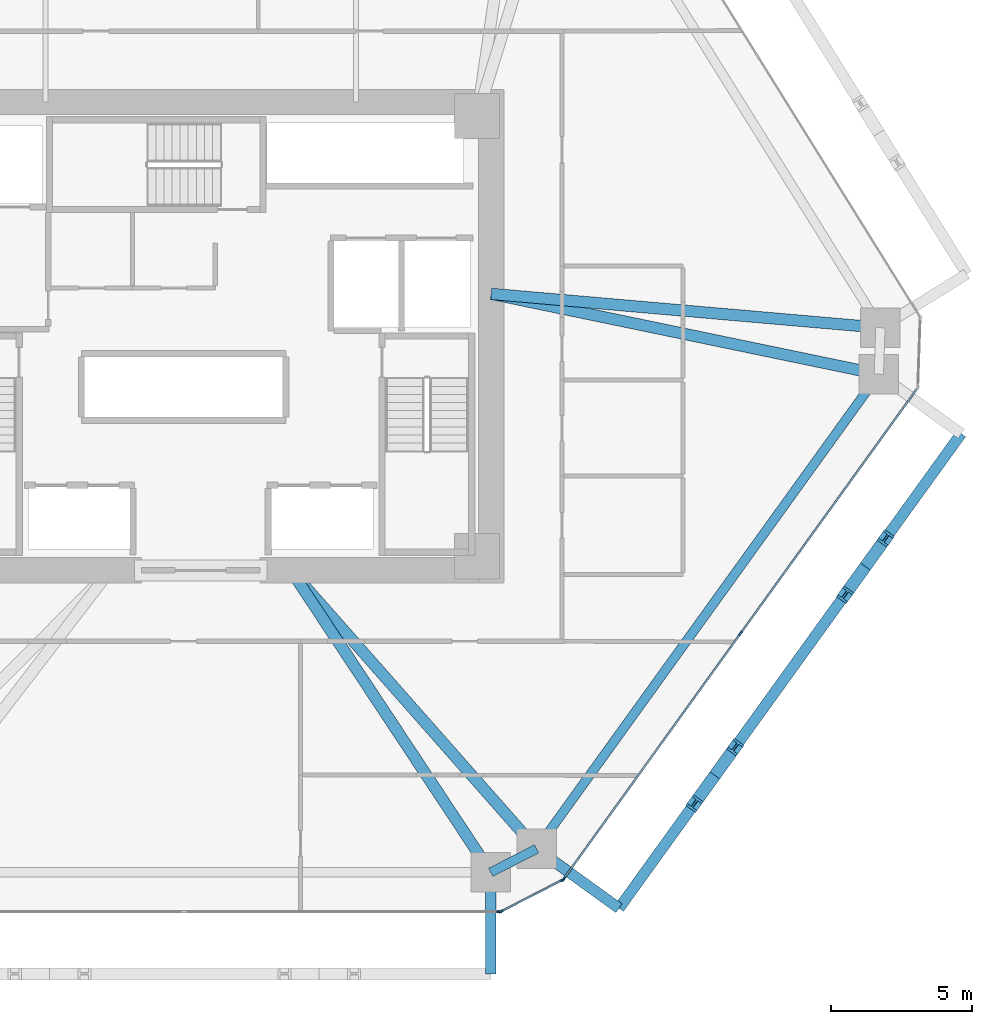
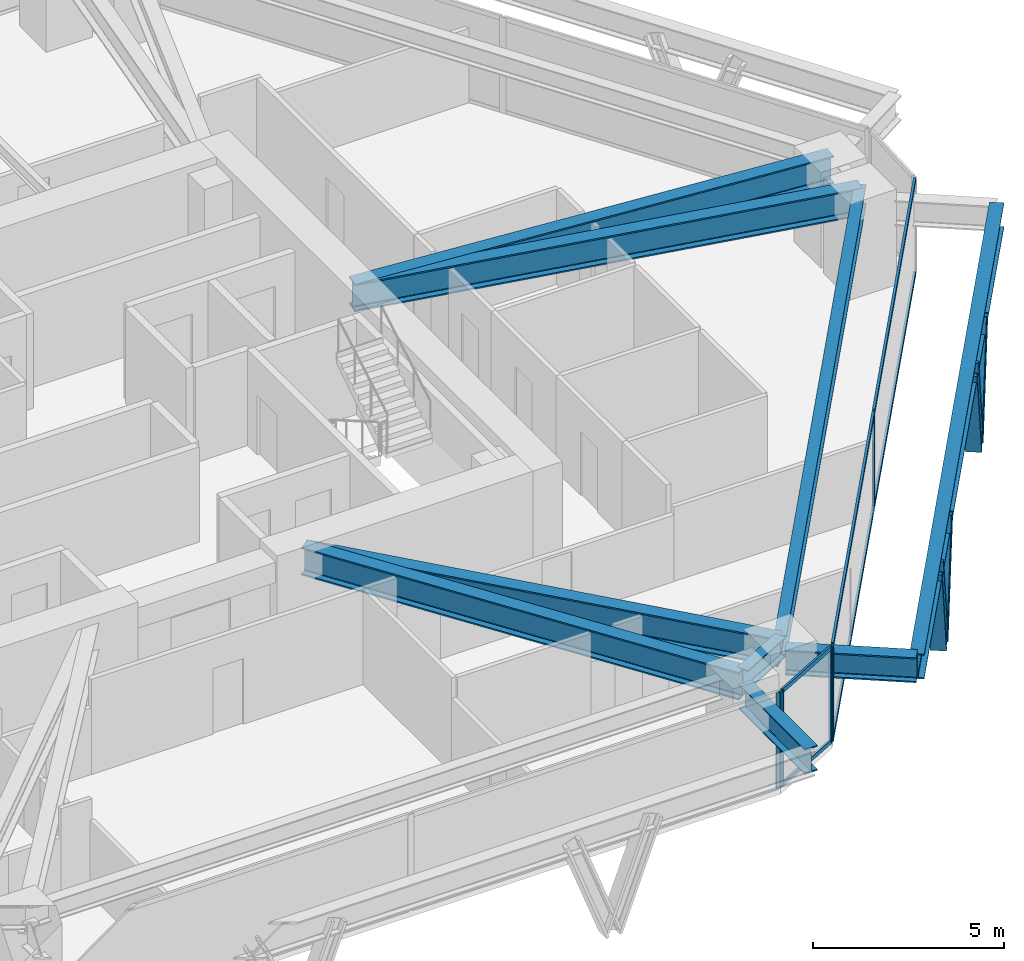
# One storey, part 5 of 14: 15 members, 9 beams, 3 elements without a shape of their own.
"""IFC4 building model written with IfcOpenShell, lengths in metres."""

from ifc_helpers import new_model, si_unit, direction, frame, origin, origin_2d, place, context, subcontext, project, spatial, rectangle, i_section, extrude, source, transform, mapped, material, layer, layer_set, material_profile, profile_set, type_object, type_shapes, element, aggregate, save


model = new_model("IFC4")

# Units and contexts
model_context = context("Model", 3, precision=1e-05, world=origin(), true_north=direction((0.0, 1.0)))
body_context = subcontext(model_context, "Body", "Model", "MODEL_VIEW")
ifc_project = project(units=[si_unit("LENGTHUNIT", "METRE"), si_unit("AREAUNIT", "SQUARE_METRE"), si_unit("VOLUMEUNIT", "CUBIC_METRE"), si_unit("PLANEANGLEUNIT", "RADIAN"), si_unit("MASSUNIT", "GRAM", prefix="KILO")], contexts=[model_context])

# Site, building, storey
site_placement = place(None, origin())
site = spatial("IfcSite", under=ifc_project, at=site_placement, CompositionType="ELEMENT")
building_placement = place(site_placement, origin())
building = spatial("IfcBuilding", under=site, at=building_placement, Name="Durnholm Broadcast Tower", CompositionType="ELEMENT")
storey_placement = place(building_placement, frame((0.0, 0.0, 48.89990234375)))
storey = spatial("IfcBuildingStorey", under=building, at=storey_placement, Name="L11", CompositionType="ELEMENT", Elevation=48.89990234375)

# Beams
ifc_material_1 = material(Name="Steel ASTM A992 Grade 50", Category="steel")
ifc_material_profile_1 = material_profile(ifc_material_1, i_section(OverallWidth=0.3291015625, OverallDepth=0.635009765625, WebThickness=0.017822265625, FlangeThickness=0.031005859375, FilletRadius=0.02783203125, at=origin_2d()), Name="W24X162")
ifc_profile_set_1 = profile_set([ifc_material_profile_1], Name="Steel ASTM A992 Grade 50")
beam_type_1 = type_object("IfcBeamType", Name="STL-SP-W24X162", PredefinedType="SPANDREL", material=ifc_profile_set_1)
shared_shape_1 = source(origin(), body_context, "Body", "SweptSolid", [
    extrude(i_section(OverallWidth=0.3291015625, OverallDepth=0.635009765625, WebThickness=0.017822265625, FlangeThickness=0.031005859375, FilletRadius=0.02783203125, at=origin_2d()), origin(), (0.0, 0.0, 1.0), 20.737060546875),
])
beam_1_placement = place(storey_placement, frame((24.034912109375, -1.347412109375, 2.7275390625), z_axis=(-0.584821933191, -0.811161701795, 0.0), x_axis=(0.811161701795, -0.584821933191, 0.0)))
element("IfcBeam", 1, at=beam_1_placement, inside=storey, type_object=beam_type_1, Name="L11 perimeter spandrel girder 09", PredefinedType="SPANDREL", context=body_context, shape_type="MappedRepresentation", body=[
    mapped(shared_shape_1, transform((0.0, 0.0, 0.0), x_axis=(1.0, 0.0, 0.0), y_axis=(0.0, 1.0, 0.0), z_axis=(0.0, 0.0, 1.0), scale=1.0)),
])
shared_shape_2 = source(origin(), body_context, "Body", "SweptSolid", [
    extrude(i_section(OverallWidth=0.3291015625, OverallDepth=0.635009765625, WebThickness=0.017822265625, FlangeThickness=0.031005859375, FilletRadius=0.02783203125, at=origin_2d()), origin(), (0.0, 0.0, 1.0), 1.8251953125),
])
type_shapes(beam_type_1, [shared_shape_1, shared_shape_2])
beam_2_placement = place(storey_placement, frame((11.907470703125, -18.16845703125, 2.7275390625), z_axis=(-0.890187609501, -0.455594139438, 0.0), x_axis=(0.455594139438, -0.890187609501, 0.0)))
element("IfcBeam", 2, at=beam_2_placement, inside=storey, type_object=beam_type_1, Name="L11 perimeter spandrel girder 10", PredefinedType="SPANDREL", context=body_context, shape_type="MappedRepresentation", body=[
    mapped(shared_shape_2, transform((0.0, 0.0, 0.0), x_axis=(1.0, 0.0, 0.0), y_axis=(0.0, 1.0, 0.0), z_axis=(0.0, 0.0, 1.0), scale=1.0)),
])
ifc_material_profile_2 = material_profile(ifc_material_1, i_section(OverallWidth=0.404052734375, OverallDepth=0.885009765625, WebThickness=0.0244140625, FlangeThickness=0.0439453125, FilletRadius=0.03564453125, at=origin_2d()), Name="W33X291")
ifc_profile_set_2 = profile_set([ifc_material_profile_2], Name="Steel ASTM A992 Grade 50")
beam_type_2 = type_object("IfcBeamType", Name="STL-GR-W33X291", PredefinedType="USERDEFINED", material=ifc_profile_set_2)
shared_shape_3 = source(origin(), body_context, "Body", "SweptSolid", [
    extrude(i_section(OverallWidth=0.404052734375, OverallDepth=0.885009765625, WebThickness=0.0244140625, FlangeThickness=0.0439453125, FilletRadius=0.03564453125, at=origin_2d()), origin(), (0.0, 0.0, 1.0), 13.843017578125),
])
beam_3_placement = place(storey_placement, frame((10.300048828125, 1.5, 2.6025390625), z_axis=(0.996234364864, -0.086701154915, 0.0), x_axis=(0.086701154915, 0.996234364864, 0.0)))
element("IfcBeam", 3, at=beam_3_placement, inside=storey, type_object=beam_type_2, Name="L11 radial primary floor girder 08", ObjectType="GIRDER", PredefinedType="USERDEFINED", context=body_context, shape_type="MappedRepresentation", body=[
    mapped(shared_shape_3, transform((0.0, 0.0, 0.0), x_axis=(1.0, 0.0, 0.0), y_axis=(0.0, 1.0, 0.0), z_axis=(0.0, 0.0, 1.0), scale=1.0)),
])
shared_shape_4 = source(origin(), body_context, "Body", "SweptSolid", [
    extrude(i_section(OverallWidth=0.404052734375, OverallDepth=0.885009765625, WebThickness=0.0244140625, FlangeThickness=0.0439453125, FilletRadius=0.03564453125, at=origin_2d()), origin(), (0.0, 0.0, 1.0), 14.02685546875),
])
beam_4_placement = place(storey_placement, frame((10.300048828125, 1.5, 2.6025390625), z_axis=(0.979179487914, -0.202996380382, 0.0), x_axis=(0.202996380382, 0.979179487914, 0.0)))
element("IfcBeam", 4, at=beam_4_placement, inside=storey, type_object=beam_type_2, Name="L11 radial primary floor girder 09", ObjectType="GIRDER", PredefinedType="USERDEFINED", context=body_context, shape_type="MappedRepresentation", body=[
    mapped(shared_shape_4, transform((0.0, 0.0, 0.0), x_axis=(1.0, 0.0, 0.0), y_axis=(0.0, 1.0, 0.0), z_axis=(0.0, 0.0, 1.0), scale=1.0)),
])
shared_shape_5 = source(origin(), body_context, "Body", "SweptSolid", [
    extrude(i_section(OverallWidth=0.404052734375, OverallDepth=0.885009765625, WebThickness=0.0244140625, FlangeThickness=0.0439453125, FilletRadius=0.03564453125, at=origin_2d()), origin(), (0.0, 0.0, 1.0), 13.160888671875),
])
beam_5_placement = place(storey_placement, frame((3.199951171875, -8.300048828125, 2.6025390625), z_axis=(0.661625931866, -0.749834065832, 0.0), x_axis=(0.749834065832, 0.661625931866, 0.0)))
element("IfcBeam", 5, at=beam_5_placement, inside=storey, type_object=beam_type_2, Name="L11 radial primary floor girder 10", ObjectType="GIRDER", PredefinedType="USERDEFINED", context=body_context, shape_type="MappedRepresentation", body=[
    mapped(shared_shape_5, transform((0.0, 0.0, 0.0), x_axis=(1.0, 0.0, 0.0), y_axis=(0.0, 1.0, 0.0), z_axis=(0.0, 0.0, 1.0), scale=1.0)),
])
shared_shape_6 = source(origin(), body_context, "Body", "SweptSolid", [
    extrude(i_section(OverallWidth=0.404052734375, OverallDepth=0.885009765625, WebThickness=0.0244140625, FlangeThickness=0.0439453125, FilletRadius=0.03564453125, at=origin_2d()), origin(), (0.0, 0.0, 1.0), 12.831787109375),
])
type_shapes(beam_type_2, [shared_shape_3, shared_shape_4, shared_shape_5, shared_shape_6])
beam_6_placement = place(storey_placement, frame((3.199951171875, -8.300048828125, 2.6025390625), z_axis=(0.551970609544, -0.833863565699, 0.0), x_axis=(0.833863565699, 0.551970609544, 0.0)))
element("IfcBeam", 6, at=beam_6_placement, inside=storey, type_object=beam_type_2, Name="L11 radial primary floor girder 11", ObjectType="GIRDER", PredefinedType="USERDEFINED", context=body_context, shape_type="MappedRepresentation", body=[
    mapped(shared_shape_6, transform((0.0, 0.0, 0.0), x_axis=(1.0, 0.0, 0.0), y_axis=(0.0, 1.0, 0.0), z_axis=(0.0, 0.0, 1.0), scale=1.0)),
])
ifc_material_profile_3 = material_profile(ifc_material_1, i_section(OverallWidth=0.385009765625, OverallDepth=0.802978515625, WebThickness=0.023681640625, FlangeThickness=0.0419921875, FilletRadius=0.032958984375, at=origin_2d()), Name="W30X261")
ifc_profile_set_3 = profile_set([ifc_material_profile_3], Name="Steel ASTM A992 Grade 50")
beam_type_3 = type_object("IfcBeamType", Name="BM-EXO-TIE", PredefinedType="USERDEFINED", material=ifc_profile_set_3)
shared_shape_7 = source(origin(), body_context, "Body", "SweptSolid", [
    extrude(i_section(OverallWidth=0.385009765625, OverallDepth=0.802978515625, WebThickness=0.023681640625, FlangeThickness=0.0419921875, FilletRadius=0.032958984375, at=origin_2d()), origin(), (0.0, 0.0, 1.0), 3.4560546875),
])
for number, where, z_axis, x_axis, name in (
    (7, (10.28271484375, -19.14404296875, 2.30859375), (0.0, -1.0, 0.0), (1.0, 0.0, 0.0), "L11 exoskeleton stand-off tie bracket F1.2"),
    (8, (12.024169921875, -18.252685546875, 2.30859375), (0.811157675106, -0.584827518262, 0.0), (0.584827518262, 0.811157675106, 0.0), "L11 exoskeleton stand-off tie bracket F2.1"),
):
    element("IfcBeam", number, at=place(storey_placement, frame(where, z_axis=z_axis, x_axis=x_axis)), inside=storey, type_object=beam_type_3, Name=name, ObjectType="GIRDER", PredefinedType="USERDEFINED", context=body_context, shape_type="MappedRepresentation", body=[
        mapped(shared_shape_7, transform((0.0, 0.0, 0.0), x_axis=(1.0, 0.0, 0.0), y_axis=(0.0, 1.0, 0.0), z_axis=(0.0, 0.0, 1.0), scale=1.0)),
    ])
shared_shape_8 = source(origin(), body_context, "Body", "SweptSolid", [
    extrude(i_section(OverallWidth=0.385009765625, OverallDepth=0.802978515625, WebThickness=0.023681640625, FlangeThickness=0.0419921875, FilletRadius=0.032958984375, at=origin_2d()), origin(), (0.0, 0.0, 1.0), 20.737060546875),
])
type_shapes(beam_type_3, [shared_shape_7, shared_shape_8])
beam_7_placement = place(storey_placement, frame((14.82763671875, -20.27392578125, 2.30859375), z_axis=(0.5848163482, 0.811165728368, 0.0), x_axis=(-0.811165728368, 0.5848163482, 0.0)))
element("IfcBeam", 9, at=beam_7_placement, inside=storey, type_object=beam_type_3, Name="L11 exoskeleton collector spandrel F2", PredefinedType="SPANDREL", context=body_context, shape_type="MappedRepresentation", body=[
    mapped(shared_shape_8, transform((0.0, 0.0, 0.0), x_axis=(1.0, 0.0, 0.0), y_axis=(0.0, 1.0, 0.0), z_axis=(0.0, 0.0, 1.0), scale=1.0)),
])

# Members
ifc_material_2 = material(Name="Steel ASTM A913 Grade 65", Category="steel")
ifc_material_profile_4 = material_profile(ifc_material_2, i_section(OverallWidth=0.43212890625, OverallDepth=0.497802734375, WebThickness=0.0556640625, FlangeThickness=0.0888671875, FilletRadius=0.030517578125, at=origin_2d()), Name="W14X500")
ifc_profile_set_4 = profile_set([ifc_material_profile_4], Name="Steel ASTM A913 Grade 65")
member_type_1 = type_object("IfcMemberType", Name="STL-DG-W14X500", PredefinedType="BRACE", material=ifc_profile_set_4)
shared_shape_9 = source(origin(), body_context, "Body", "SweptSolid", [
    extrude(i_section(OverallWidth=0.43212890625, OverallDepth=0.497802734375, WebThickness=0.0556640625, FlangeThickness=0.0888671875, FilletRadius=0.030517578125, at=origin_2d()), origin(), (0.0, 0.0, 1.0), 3.523193359375),
])
type_shapes(member_type_1, [shared_shape_9])
for number, where, z_axis, x_axis, name in (
    (10, (18.223388671875, -15.56396484375, -0.991455078125), (-0.204839138341, -0.284044529113, 0.93667477434), (0.81109123444, -0.58491966065, 0.0), "L11 stand-off diagrid brace F2.D1.1"),
    (11, (18.223388671875, -15.56396484375, -0.991455078125), (0.20477274847, 0.284048560399, 0.936688068046), (-0.811185111535, 0.584789461963, 0.0), "L11 stand-off diagrid brace F2.D1.2"),
    (12, (23.5595703125, -8.16259765625, -0.991455078125), (-0.204839138341, -0.284044529113, 0.93667477434), (0.81109123444, -0.58491966065, 0.0), "L11 stand-off diagrid brace F2.D2.1"),
    (13, (23.5595703125, -8.16259765625, -0.991455078125), (0.20477274847, 0.284048560399, 0.936688068046), (-0.811185111535, 0.584789461963, 0.0), "L11 stand-off diagrid brace F2.D2.2"),
):
    element("IfcMember", number, at=place(storey_placement, frame(where, z_axis=z_axis, x_axis=x_axis)), inside=storey, type_object=member_type_1, Name=name, PredefinedType="BRACE", context=body_context, shape_type="MappedRepresentation", body=[
        mapped(shared_shape_9, transform((0.0, 0.0, 0.0), x_axis=(1.0, 0.0, 0.0), y_axis=(0.0, 1.0, 0.0), z_axis=(0.0, 0.0, 1.0), scale=1.0)),
    ])

# Curtain wall, members
ifc_material_3 = material(Name="Aluminium and Solar Control IGU", Category="aluminium")
ifc_layer_1 = layer(ifc_material_3, 0.1650390625)
ifc_layer_set_1 = layer_set([ifc_layer_1], Name="Aluminium and Solar Control IGU")
curtain_wall_type_1 = type_object("IfcCurtainWallType", Name="CW-SYS-5", PredefinedType="NOTDEFINED", material=ifc_layer_set_1)
curtain_wall_1_placement = place(storey_placement, origin())
curtain_wall_1 = element("IfcCurtainWall", 14, at=curtain_wall_1_placement, inside=storey, type_object=curtain_wall_type_1, Name="L11 curtain wall CW-CORNER CW-L11-CRN-09", PredefinedType="NOTDEFINED")
ifc_material_4 = material(Name="Aluminium 6063-T6", Category="aluminium")
ifc_material_profile_5 = material_profile(ifc_material_4, rectangle(XDim=0.06494140625, YDim=0.1650390625, at=origin_2d()), Name="CWM65X165")
ifc_profile_set_5 = profile_set([ifc_material_profile_5], Name="Aluminium 6063-T6")
member_type_2 = type_object("IfcMemberType", Name="CW-SYS-5-MUL", PredefinedType="MULLION", material=ifc_profile_set_5)
shared_shape_10 = source(origin(), body_context, "Body", "SweptSolid", [
    extrude(rectangle(XDim=0.06494140625, YDim=0.1650390625, at=origin_2d()), origin(), (0.0, 0.0, 1.0), 3.06005859375),
])
type_shapes(member_type_2, [shared_shape_10])
member_1_placement = place(storey_placement, frame((12.816650390625, -19.27587890625, 0.0), z_axis=(0.0, 0.0, 1.0), x_axis=(0.455593758406, -0.890187804512, 0.0)))
member_1 = element("IfcMember", 15, at=member_1_placement, type_object=member_type_2, Name="CW-CORNER mullion 1", PredefinedType="MULLION", context=body_context, shape_type="MappedRepresentation", body=[
    mapped(shared_shape_10, transform((0.0, 0.0, 0.0), x_axis=(1.0, 0.0, 0.0), y_axis=(0.0, 1.0, 0.0), z_axis=(0.0, 0.0, 1.0), scale=1.0)),
])
member_2_placement = place(storey_placement, frame((10.649169921875, -20.38525390625, 0.0), z_axis=(0.0, 0.0, 1.0), x_axis=(0.455593758406, -0.890187804512, 0.0)))
member_2 = element("IfcMember", 16, at=member_2_placement, type_object=member_type_2, Name="CW-CORNER mullion 2", PredefinedType="MULLION", context=body_context, shape_type="MappedRepresentation", body=[
    mapped(shared_shape_10, transform((0.0, 0.0, 0.0), x_axis=(1.0, 0.0, 0.0), y_axis=(0.0, 1.0, 0.0), z_axis=(0.0, 0.0, 1.0), scale=1.0)),
])
ifc_material_profile_6 = material_profile(ifc_material_4, rectangle(XDim=0.06494140625, YDim=0.1298828125, at=origin_2d()), Name="CWT65X130")
ifc_profile_set_6 = profile_set([ifc_material_profile_6], Name="Aluminium 6063-T6")
member_type_3 = type_object("IfcMemberType", Name="CW-SYS-5-TRN", PredefinedType="USERDEFINED", material=ifc_profile_set_6)
shared_shape_11 = source(origin(), body_context, "Body", "SweptSolid", [
    extrude(rectangle(XDim=0.06494140625, YDim=0.1298828125, at=origin_2d()), origin(), (0.0, 0.0, 1.0), 2.3701171875),
])
type_shapes(member_type_3, [shared_shape_11])
member_3_placement = place(storey_placement, frame((12.787841796875, -19.29052734375, 0.03271484375), z_axis=(-0.890185016934, -0.455599205033, 0.0), x_axis=(0.455599205033, -0.890185016934, 0.0)))
member_3 = element("IfcMember", 17, at=member_3_placement, type_object=member_type_3, Name="CW-CORNER transom 1.1", ObjectType="TRANSOM", PredefinedType="USERDEFINED", context=body_context, shape_type="MappedRepresentation", body=[
    mapped(shared_shape_11, transform((0.0, 0.0, 0.0), x_axis=(1.0, 0.0, 0.0), y_axis=(0.0, 1.0, 0.0), z_axis=(0.0, 0.0, 1.0), scale=1.0)),
])
member_4_placement = place(storey_placement, frame((12.787841796875, -19.29052734375, 3.027587890625), z_axis=(-0.890185016934, -0.455599205033, 0.0), x_axis=(0.455599205033, -0.890185016934, 0.0)))
member_4 = element("IfcMember", 18, at=member_4_placement, type_object=member_type_3, Name="CW-CORNER transom 1.2", ObjectType="TRANSOM", PredefinedType="USERDEFINED", context=body_context, shape_type="MappedRepresentation", body=[
    mapped(shared_shape_11, transform((0.0, 0.0, 0.0), x_axis=(1.0, 0.0, 0.0), y_axis=(0.0, 1.0, 0.0), z_axis=(0.0, 0.0, 1.0), scale=1.0)),
])
aggregate(curtain_wall_1, [member_1, member_2, member_3, member_4])

ifc_layer_2 = layer(ifc_material_3, 0.18994140625)
ifc_layer_set_2 = layer_set([ifc_layer_2], Name="Aluminium and Solar Control IGU")
curtain_wall_type_2 = type_object("IfcCurtainWallType", Name="CW-SYS-3", PredefinedType="NOTDEFINED", material=ifc_layer_set_2)
curtain_wall_2_placement = place(storey_placement, origin())
curtain_wall_2 = element("IfcCurtainWall", 19, at=curtain_wall_2_placement, inside=storey, type_object=curtain_wall_type_2, Name="L11 curtain wall CW-Z12-VIS CW-L11-F08", PredefinedType="NOTDEFINED")
ifc_material_profile_7 = material_profile(ifc_material_4, rectangle(XDim=0.070068359375, YDim=0.18994140625, at=origin_2d()), Name="CWM70X190")
ifc_profile_set_7 = profile_set([ifc_material_profile_7], Name="Aluminium 6063-T6")
member_type_4 = type_object("IfcMemberType", Name="CW-SYS-3-MUL", PredefinedType="MULLION", material=ifc_profile_set_7)
shared_shape_12 = source(origin(), body_context, "Body", "SweptSolid", [
    extrude(rectangle(XDim=0.070068359375, YDim=0.18994140625, at=origin_2d()), origin(), (0.0, 0.0, 1.0), 3.06005859375),
])
type_shapes(member_type_4, [shared_shape_12])
member_5_placement = place(storey_placement, frame((19.1328125, -10.540771484375, 0.0), z_axis=(0.0, 0.0, 1.0), x_axis=(0.81116057493, -0.584823496176, 0.0)))
member_5 = element("IfcMember", 20, at=member_5_placement, type_object=member_type_4, Name="CW-Z12-VIS mullion 2", PredefinedType="MULLION", context=body_context, shape_type="MappedRepresentation", body=[
    mapped(shared_shape_12, transform((0.0, 0.0, 0.0), x_axis=(1.0, 0.0, 0.0), y_axis=(0.0, 1.0, 0.0), z_axis=(0.0, 0.0, 1.0), scale=1.0)),
])
member_6_placement = place(storey_placement, frame((12.8662109375, -19.232666015625, 0.0), z_axis=(0.0, 0.0, 1.0), x_axis=(0.81116057493, -0.584823496176, 0.0)))
member_6 = element("IfcMember", 21, at=member_6_placement, type_object=member_type_4, Name="CW-Z12-VIS mullion 3", PredefinedType="MULLION", context=body_context, shape_type="MappedRepresentation", body=[
    mapped(shared_shape_12, transform((0.0, 0.0, 0.0), x_axis=(1.0, 0.0, 0.0), y_axis=(0.0, 1.0, 0.0), z_axis=(0.0, 0.0, 1.0), scale=1.0)),
])

# Curtain wall, member
curtain_wall_3_placement = place(storey_placement, origin())
curtain_wall_3 = element("IfcCurtainWall", 22, at=curtain_wall_3_placement, inside=storey, type_object=curtain_wall_type_2, Name="L11 curtain wall CW-Z12-VIS CW-L11-F10", PredefinedType="NOTDEFINED")
member_7_placement = place(storey_placement, frame((10.585205078125, -20.39990234375, 0.0), z_axis=(0.0, 0.0, 1.0), x_axis=(0.0, -1.0, 0.0)))
member_7 = element("IfcMember", 23, at=member_7_placement, type_object=member_type_4, Name="CW-Z12-VIS mullion 1", PredefinedType="MULLION", context=body_context, shape_type="MappedRepresentation", body=[
    mapped(shared_shape_12, transform((0.0, 0.0, 0.0), x_axis=(1.0, 0.0, 0.0), y_axis=(0.0, 1.0, 0.0), z_axis=(0.0, 0.0, 1.0), scale=1.0)),
])
aggregate(curtain_wall_3, [member_7])

# Member
ifc_material_profile_8 = material_profile(ifc_material_4, rectangle(XDim=0.070068359375, YDim=0.14990234375, at=origin_2d()), Name="CWT70X150")
ifc_profile_set_8 = profile_set([ifc_material_profile_8], Name="Aluminium 6063-T6")
member_type_5 = type_object("IfcMemberType", Name="CW-SYS-3-TRN", PredefinedType="USERDEFINED", material=ifc_profile_set_8)
shared_shape_13 = source(origin(), body_context, "Body", "SweptSolid", [
    extrude(rectangle(XDim=0.070068359375, YDim=0.14990234375, at=origin_2d()), origin(), (0.0, 0.0, 1.0), 10.6455078125),
])
member_8_placement = place(storey_placement, frame((25.37890625, -1.877197265625, 0.03515625), z_axis=(-0.584812103659, -0.811168788486, 0.0), x_axis=(0.811168788486, -0.584812103659, 0.0)))
member_8 = element("IfcMember", 24, at=member_8_placement, type_object=member_type_5, Name="CW-Z12-VIS transom 1.1", ObjectType="TRANSOM", PredefinedType="USERDEFINED", context=body_context, shape_type="MappedRepresentation", body=[
    mapped(shared_shape_13, transform((0.0, 0.0, 0.0), x_axis=(1.0, 0.0, 0.0), y_axis=(0.0, 1.0, 0.0), z_axis=(0.0, 0.0, 1.0), scale=1.0)),
])

member_9_placement = place(storey_placement, frame((25.37890625, -1.877197265625, 3.025146484375), z_axis=(-0.584812103659, -0.811168788486, 0.0), x_axis=(0.811168788486, -0.584812103659, 0.0)))
member_9 = element("IfcMember", 25, at=member_9_placement, type_object=member_type_5, Name="CW-Z12-VIS transom 1.2", ObjectType="TRANSOM", PredefinedType="USERDEFINED", context=body_context, shape_type="MappedRepresentation", body=[
    mapped(shared_shape_13, transform((0.0, 0.0, 0.0), x_axis=(1.0, 0.0, 0.0), y_axis=(0.0, 1.0, 0.0), z_axis=(0.0, 0.0, 1.0), scale=1.0)),
])

shared_shape_14 = source(origin(), body_context, "Body", "SweptSolid", [
    extrude(rectangle(XDim=0.070068359375, YDim=0.14990234375, at=origin_2d()), origin(), (0.0, 0.0, 1.0), 10.645263671875),
])
type_shapes(member_type_5, [shared_shape_13, shared_shape_14])
member_10_placement = place(storey_placement, frame((19.1123046875, -10.569091796875, 0.03515625), z_axis=(-0.584822983179, -0.811160944786, 0.0), x_axis=(0.811160944786, -0.584822983179, 0.0)))
member_10 = element("IfcMember", 26, at=member_10_placement, type_object=member_type_5, Name="CW-Z12-VIS transom 2.1", ObjectType="TRANSOM", PredefinedType="USERDEFINED", context=body_context, shape_type="MappedRepresentation", body=[
    mapped(shared_shape_14, transform((0.0, 0.0, 0.0), x_axis=(1.0, 0.0, 0.0), y_axis=(0.0, 1.0, 0.0), z_axis=(0.0, 0.0, 1.0), scale=1.0)),
])

member_11_placement = place(storey_placement, frame((19.1123046875, -10.569091796875, 3.025146484375), z_axis=(-0.584822983179, -0.811160944786, 0.0), x_axis=(0.811160944786, -0.584822983179, 0.0)))
member_11 = element("IfcMember", 27, at=member_11_placement, type_object=member_type_5, Name="CW-Z12-VIS transom 2.2", ObjectType="TRANSOM", PredefinedType="USERDEFINED", context=body_context, shape_type="MappedRepresentation", body=[
    mapped(shared_shape_14, transform((0.0, 0.0, 0.0), x_axis=(1.0, 0.0, 0.0), y_axis=(0.0, 1.0, 0.0), z_axis=(0.0, 0.0, 1.0), scale=1.0)),
])

aggregate(curtain_wall_2, [member_5, member_6, member_8, member_9, member_10, member_11])

save(model, "model.ifc")
